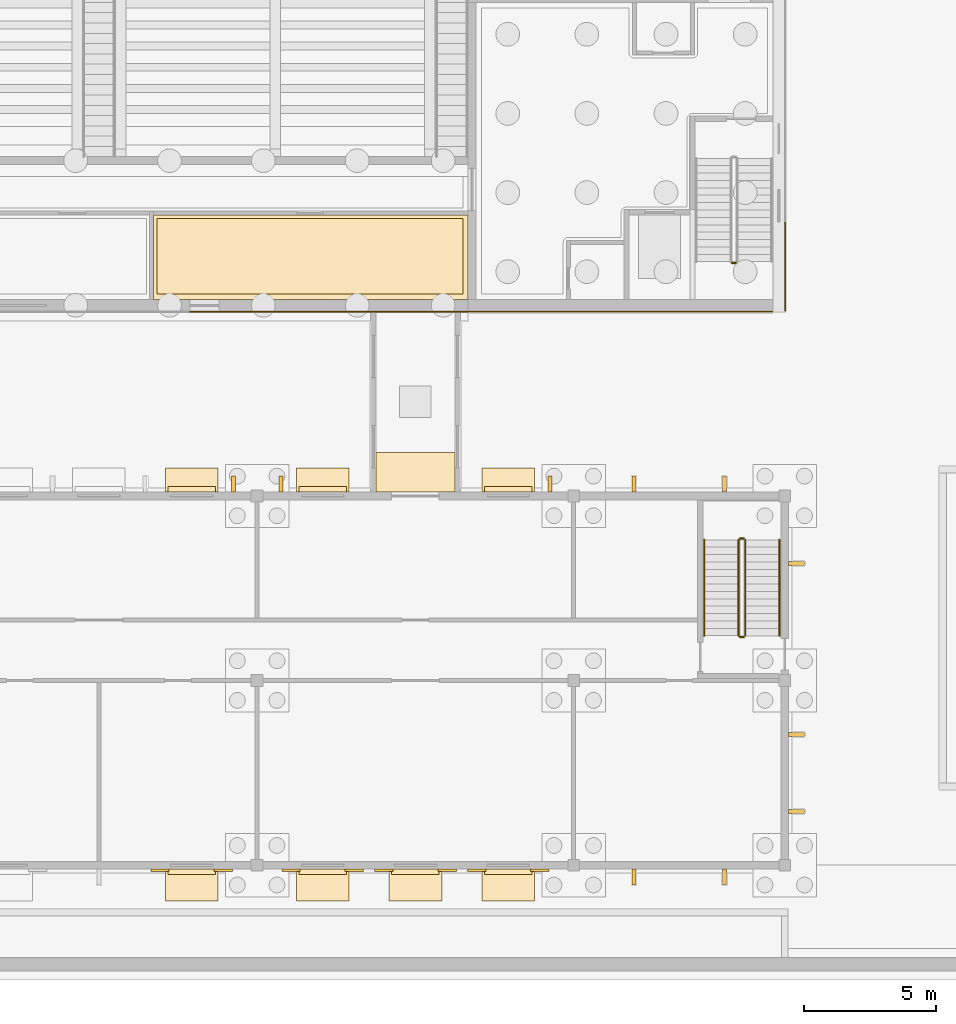
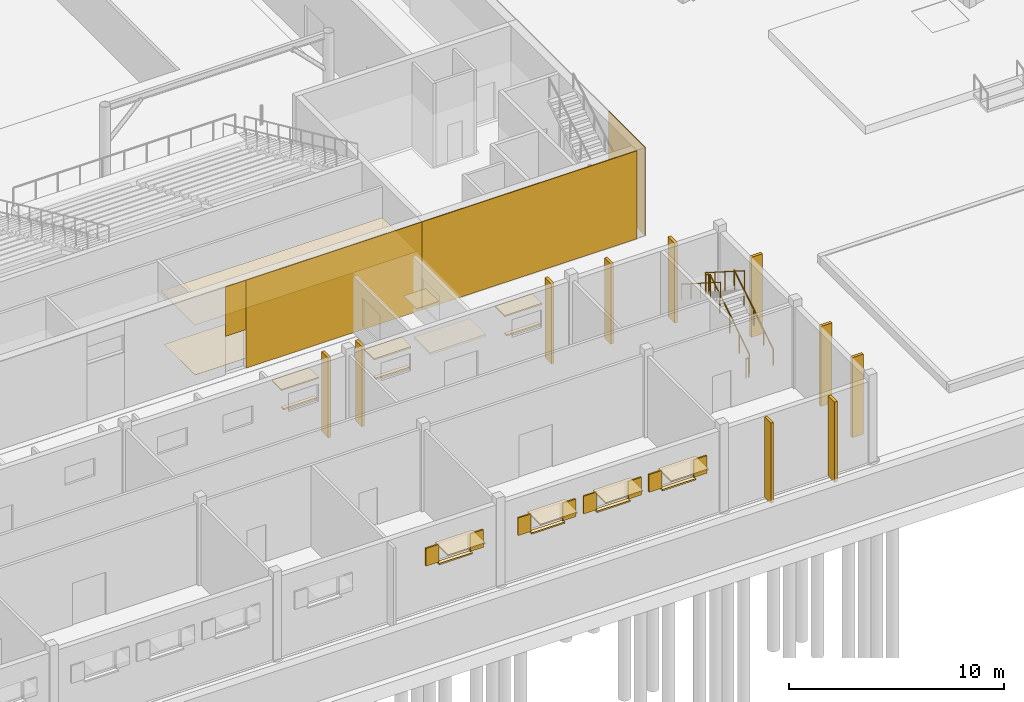
# One storey, part 141 of 157: 21 coverings, 18 shading devices, 7 railings.
"""IFC4 building model written with IfcOpenShell, lengths in metres."""

from ifc_helpers import new_model, si_unit, direction, frame, origin, origin_2d, place, context, subcontext, project, spatial, polyline, circle, outline, extrude, material, layer, layer_set, type_object, element, save


model = new_model("IFC4")

# Units and contexts
model_context = context("Model", 3, precision=1e-05, world=origin(), true_north=direction((0.0, 1.0)))
body_context = subcontext(model_context, "Body", "Model", "MODEL_VIEW")
ifc_project = project(units=[si_unit("LENGTHUNIT", "METRE"), si_unit("AREAUNIT", "SQUARE_METRE"), si_unit("VOLUMEUNIT", "CUBIC_METRE"), si_unit("PLANEANGLEUNIT", "RADIAN"), si_unit("MASSUNIT", "GRAM", prefix="KILO")], contexts=[model_context])

# Site, building, storey
site_placement = place(None, origin())
site = spatial("IfcSite", under=ifc_project, at=site_placement, CompositionType="ELEMENT")
building_placement = place(site_placement, origin())
building = spatial("IfcBuilding", under=site, at=building_placement, Name="Windward Yard Aquatics Centre", CompositionType="ELEMENT")
storey_placement = place(building_placement, origin())
storey = spatial("IfcBuildingStorey", under=building, at=storey_placement, Name="L00", CompositionType="ELEMENT", Elevation=0.0)

# Railings
ifc_material_1 = material(Name="Stainless steel 1.4401", Category="steel")
railing_type_1 = type_object("IfcRailingType", Name="C Village stair 2 stair guard", PredefinedType="GUARDRAIL", material=ifc_material_1)
railing_1_placement = place(storey_placement, frame((150.5, 13.699951171875, 0.178466796875)))
element("IfcRailing", 1, at=railing_1_placement, inside=storey, type_object=railing_type_1, Name="L00 C-ST2 stair guard 1", PredefinedType="GUARDRAIL", context=body_context, shape_type="SweptSolid", body=[
    extrude(circle(Radius=0.02392578125, at=origin_2d()), frame((0.0, 0.0, 1.076171875), z_axis=(0.0, 0.843127859045, 0.537713132908), x_axis=(-1.0, 0.0, 0.0)), (0.0, 0.0, 1.0), 4.3173828125),
    extrude(circle(Radius=0.02099609375, at=origin_2d()), origin(), (0.0, 0.0, 1.0), 1.052001953125),
    extrude(circle(Radius=0.02099609375, at=origin_2d()), frame((0.0, 0.91015625, 0.580322265625)), (0.0, 0.0, 1.0), 1.052001953125),
    extrude(circle(Radius=0.02099609375, at=origin_2d()), frame((0.0, 1.820068359375, 1.16064453125)), (0.0, 0.0, 1.0), 1.052001953125),
    extrude(circle(Radius=0.02099609375, at=origin_2d()), frame((0.0, 2.72998046875, 1.7412109375)), (0.0, 0.0, 1.0), 1.052001953125),
    extrude(circle(Radius=0.02099609375, at=origin_2d()), frame((0.0, 3.64013671875, 2.321533203125)), (0.0, 0.0, 1.0), 1.052001953125),
])
railing_2_placement = place(storey_placement, frame((150.449951171875, 17.389892578125, 2.5)))
element("IfcRailing", 2, at=railing_2_placement, inside=storey, type_object=railing_type_1, Name="L00 C-ST2 stair guard 2", PredefinedType="GUARDRAIL", context=body_context, shape_type="SweptSolid", body=[
    extrude(circle(Radius=0.02392578125, at=origin_2d()), frame((0.0, 0.0, 1.076171875), z_axis=(-1.0, 0.0, 0.0), x_axis=(0.0, -1.0, 0.0)), (0.0, 0.0, 1.0), 0.14990234375),
    extrude(circle(Radius=0.02099609375, at=origin_2d()), origin(), (0.0, 0.0, 1.0), 1.052001953125),
    extrude(circle(Radius=0.02099609375, at=origin_2d()), frame((-0.14990234375, 0.0, 0.0)), (0.0, 0.0, 1.0), 1.052001953125),
])
railing_3_placement = place(storey_placement, frame((150.25, 17.340087890625, 2.678466796875)))
element("IfcRailing", 3, at=railing_3_placement, inside=storey, type_object=railing_type_1, Name="L00 C-ST2 stair guard 3", PredefinedType="GUARDRAIL", context=body_context, shape_type="SweptSolid", body=[
    extrude(circle(Radius=0.02392578125, at=origin_2d()), frame((0.0, 0.0, 1.076171875), z_axis=(0.0, -0.843127859045, 0.537713132908), x_axis=(1.0, 0.0, 0.0)), (0.0, 0.0, 1.0), 4.3173828125),
    extrude(circle(Radius=0.02099609375, at=origin_2d()), origin(), (0.0, 0.0, 1.0), 1.052001953125),
    extrude(circle(Radius=0.02099609375, at=origin_2d()), frame((0.0, -0.91015625, 0.580322265625)), (0.0, 0.0, 1.0), 1.052001953125),
    extrude(circle(Radius=0.02099609375, at=origin_2d()), frame((0.0, -1.820068359375, 1.16064453125)), (0.0, 0.0, 1.0), 1.052001953125),
    extrude(circle(Radius=0.02099609375, at=origin_2d()), frame((0.0, -2.72998046875, 1.7412109375)), (0.0, 0.0, 1.0), 1.052001953125),
    extrude(circle(Radius=0.02099609375, at=origin_2d()), frame((0.0, -3.64013671875, 2.321533203125)), (0.0, 0.0, 1.0), 1.052001953125),
])
railing_4_placement = place(storey_placement, frame((150.449951171875, 13.64990234375, 0.0)))
element("IfcRailing", 4, at=railing_4_placement, inside=storey, type_object=railing_type_1, Name="L00 C-ST2 stair guard 4", PredefinedType="GUARDRAIL", context=body_context, shape_type="SweptSolid", body=[
    extrude(circle(Radius=0.02392578125, at=origin_2d()), frame((0.0, 0.0, 1.076171875), z_axis=(-1.0, 0.0, 0.0), x_axis=(0.0, -1.0, 0.0)), (0.0, 0.0, 1.0), 0.14990234375),
    extrude(circle(Radius=0.02099609375, at=origin_2d()), origin(), (0.0, 0.0, 1.0), 1.052001953125),
    extrude(circle(Radius=0.02099609375, at=origin_2d()), frame((-0.14990234375, 0.0, 0.0)), (0.0, 0.0, 1.0), 1.052001953125),
])
railing_type_2 = type_object("IfcRailingType", Name="C Village stair 2 stair handrail", PredefinedType="HANDRAIL", material=ifc_material_1)
railing_5_placement = place(storey_placement, frame((151.800048828125, 13.699951171875, 0.178466796875)))
element("IfcRailing", 5, at=railing_5_placement, inside=storey, type_object=railing_type_2, Name="L00 C-ST2 stair handrail 1", PredefinedType="HANDRAIL", context=body_context, shape_type="SweptSolid", body=[
    extrude(circle(Radius=0.02392578125, at=origin_2d()), frame((0.0, 0.0, 0.8759765625), z_axis=(0.0, 0.843127859045, 0.537713132908), x_axis=(-1.0, 0.0, 0.0)), (0.0, 0.0, 1.0), 4.3173828125),
    extrude(circle(Radius=0.02099609375, at=origin_2d()), origin(), (0.0, 0.0, 1.0), 0.851806640625),
    extrude(circle(Radius=0.02099609375, at=origin_2d()), frame((0.0, 0.91015625, 0.580322265625)), (0.0, 0.0, 1.0), 0.851806640625),
    extrude(circle(Radius=0.02099609375, at=origin_2d()), frame((0.0, 1.820068359375, 1.16064453125)), (0.0, 0.0, 1.0), 0.851806640625),
    extrude(circle(Radius=0.02099609375, at=origin_2d()), frame((0.0, 2.72998046875, 1.7412109375)), (0.0, 0.0, 1.0), 0.851806640625),
    extrude(circle(Radius=0.02099609375, at=origin_2d()), frame((0.0, 3.64013671875, 2.321533203125)), (0.0, 0.0, 1.0), 0.851806640625),
])
railing_6_placement = place(storey_placement, frame((148.949951171875, 17.340087890625, 2.678466796875)))
element("IfcRailing", 6, at=railing_6_placement, inside=storey, type_object=railing_type_2, Name="L00 C-ST2 stair handrail 2", PredefinedType="HANDRAIL", context=body_context, shape_type="SweptSolid", body=[
    extrude(circle(Radius=0.02392578125, at=origin_2d()), frame((0.0, 0.0, 0.8759765625), z_axis=(0.0, -0.843127859045, 0.537713132908), x_axis=(1.0, 0.0, 0.0)), (0.0, 0.0, 1.0), 4.3173828125),
    extrude(circle(Radius=0.02099609375, at=origin_2d()), origin(), (0.0, 0.0, 1.0), 0.851806640625),
    extrude(circle(Radius=0.02099609375, at=origin_2d()), frame((0.0, -0.91015625, 0.580322265625)), (0.0, 0.0, 1.0), 0.851806640625),
    extrude(circle(Radius=0.02099609375, at=origin_2d()), frame((0.0, -1.820068359375, 1.16064453125)), (0.0, 0.0, 1.0), 0.851806640625),
    extrude(circle(Radius=0.02099609375, at=origin_2d()), frame((0.0, -2.72998046875, 1.7412109375)), (0.0, 0.0, 1.0), 0.851806640625),
    extrude(circle(Radius=0.02099609375, at=origin_2d()), frame((0.0, -3.64013671875, 2.321533203125)), (0.0, 0.0, 1.0), 0.851806640625),
])

# Covering
ifc_material_2 = material(Name="Aluminium standing seam canopy on steel brackets", Category="steel")
ifc_layer_1 = layer(ifc_material_2, 0.1201171875)
ifc_layer_set_1 = layer_set([ifc_layer_1], Name="C entrance canopy aluminium 3000x1500")
covering_type_1 = type_object("IfcCoveringType", Name="C entrance canopy aluminium 3000x1500", PredefinedType="CLADDING", material=ifc_layer_set_1)
covering_1_placement = place(storey_placement, frame((0.0, 0.0, 2.800048828125)))
element("IfcCovering", 7, at=covering_1_placement, inside=storey, type_object=covering_type_1, Name="Entrance canopy C0005", PredefinedType="CLADDING", context=body_context, shape_type="SweptSolid", body=[
    extrude(outline(polyline([(136.5, 19.14990234375), (139.5, 19.14990234375), (139.5, 20.64990234375), (136.5, 20.64990234375), (136.5, 19.14990234375)])), origin(), (0.0, 0.0, 1.0), 0.119873046875),
])

# Shading devices
ifc_material_3 = material(Name="Aluminium louvre blades, powder coated", Category="aluminium")
ifc_layer_2 = layer(ifc_material_3, 0.080078125)
ifc_layer_set_2 = layer_set([ifc_layer_2], Name="C storm shutter louvred 700x1000")
shading_device_type_1 = type_object("IfcShadingDeviceType", Name="C storm shutter louvred 700x1000", PredefinedType="SHUTTER", material=ifc_layer_set_2)
shading_device_1_placement = place(storey_placement, frame((0.0, 0.0, 2.5)))
element("IfcShadingDevice", 8, at=shading_device_1_placement, inside=storey, type_object=shading_device_type_1, Name="Storm shutter CW0017L", PredefinedType="SHUTTER", context=body_context, shape_type="SweptSolid", body=[
    extrude(outline(polyline([(127.966796875, 4.77001953125), (127.966796875, 4.85009765625), (128.666748046875, 4.85009765625), (128.666748046875, 4.77001953125), (127.966796875, 4.77001953125)])), origin(), (0.0, 0.0, 1.0), 1.0),
])
shading_device_2_placement = place(storey_placement, frame((0.0, 0.0, 2.5)))
element("IfcShadingDevice", 9, at=shading_device_2_placement, inside=storey, type_object=shading_device_type_1, Name="Storm shutter CW0017R", PredefinedType="SHUTTER", context=body_context, shape_type="SweptSolid", body=[
    extrude(outline(polyline([(130.36669921875, 4.77001953125), (130.36669921875, 4.85009765625), (131.066650390625, 4.85009765625), (131.066650390625, 4.77001953125), (130.36669921875, 4.77001953125)])), origin(), (0.0, 0.0, 1.0), 1.0),
])
shading_device_3_placement = place(storey_placement, frame((0.0, 0.0, 2.5)))
element("IfcShadingDevice", 10, at=shading_device_3_placement, inside=storey, type_object=shading_device_type_1, Name="Storm shutter CW0018L", PredefinedType="SHUTTER", context=body_context, shape_type="SweptSolid", body=[
    extrude(outline(polyline([(132.933349609375, 4.77001953125), (132.933349609375, 4.85009765625), (133.63330078125, 4.85009765625), (133.63330078125, 4.77001953125), (132.933349609375, 4.77001953125)])), origin(), (0.0, 0.0, 1.0), 1.0),
])
shading_device_4_placement = place(storey_placement, frame((0.0, 0.0, 2.5)))
element("IfcShadingDevice", 11, at=shading_device_4_placement, inside=storey, type_object=shading_device_type_1, Name="Storm shutter CW0018R", PredefinedType="SHUTTER", context=body_context, shape_type="SweptSolid", body=[
    extrude(outline(polyline([(135.333251953125, 4.77001953125), (135.333251953125, 4.85009765625), (136.033203125, 4.85009765625), (136.033203125, 4.77001953125), (135.333251953125, 4.77001953125)])), origin(), (0.0, 0.0, 1.0), 1.0),
])
shading_device_5_placement = place(storey_placement, frame((0.0, 0.0, 2.5)))
element("IfcShadingDevice", 12, at=shading_device_5_placement, inside=storey, type_object=shading_device_type_1, Name="Storm shutter CW0019L", PredefinedType="SHUTTER", context=body_context, shape_type="SweptSolid", body=[
    extrude(outline(polyline([(136.449951171875, 4.77001953125), (136.449951171875, 4.85009765625), (137.14990234375, 4.85009765625), (137.14990234375, 4.77001953125), (136.449951171875, 4.77001953125)])), origin(), (0.0, 0.0, 1.0), 1.0),
])
shading_device_6_placement = place(storey_placement, frame((0.0, 0.0, 2.5)))
element("IfcShadingDevice", 13, at=shading_device_6_placement, inside=storey, type_object=shading_device_type_1, Name="Storm shutter CW0019R", PredefinedType="SHUTTER", context=body_context, shape_type="SweptSolid", body=[
    extrude(outline(polyline([(138.85009765625, 4.77001953125), (138.85009765625, 4.85009765625), (139.550048828125, 4.85009765625), (139.550048828125, 4.77001953125), (138.85009765625, 4.77001953125)])), origin(), (0.0, 0.0, 1.0), 1.0),
])
shading_device_7_placement = place(storey_placement, frame((0.0, 0.0, 2.5)))
element("IfcShadingDevice", 14, at=shading_device_7_placement, inside=storey, type_object=shading_device_type_1, Name="Storm shutter CW0020L", PredefinedType="SHUTTER", context=body_context, shape_type="SweptSolid", body=[
    extrude(outline(polyline([(139.966796875, 4.77001953125), (139.966796875, 4.85009765625), (140.666748046875, 4.85009765625), (140.666748046875, 4.77001953125), (139.966796875, 4.77001953125)])), origin(), (0.0, 0.0, 1.0), 1.0),
])
shading_device_8_placement = place(storey_placement, frame((0.0, 0.0, 2.5)))
element("IfcShadingDevice", 15, at=shading_device_8_placement, inside=storey, type_object=shading_device_type_1, Name="Storm shutter CW0020R", PredefinedType="SHUTTER", context=body_context, shape_type="SweptSolid", body=[
    extrude(outline(polyline([(142.36669921875, 4.77001953125), (142.36669921875, 4.85009765625), (143.066650390625, 4.85009765625), (143.066650390625, 4.77001953125), (142.36669921875, 4.77001953125)])), origin(), (0.0, 0.0, 1.0), 1.0),
])
ifc_material_4 = material(Name="Aluminium fin, powder coated", Category="aluminium")
shading_device_type_2 = type_object("IfcShadingDeviceType", Name="C vertical fin 150x600", PredefinedType="USERDEFINED", material=ifc_material_4)
shading_device_9_placement = place(storey_placement, origin())
element("IfcShadingDevice", 16, at=shading_device_9_placement, inside=storey, type_object=shading_device_type_2, Name="Vertical fin C.W.L00.E1.1.1", ObjectType="FIN", PredefinedType="USERDEFINED", context=body_context, shape_type="SweptSolid", body=[
    extrude(outline(polyline([(152.14990234375, 6.96240234375), (152.14990234375, 7.112548828125), (152.75, 7.112548828125), (152.75, 6.96240234375), (152.14990234375, 6.96240234375)])), origin(), (0.0, 0.0, 1.0), 4.550048828125),
])
shading_device_10_placement = place(storey_placement, origin())
element("IfcShadingDevice", 17, at=shading_device_10_placement, inside=storey, type_object=shading_device_type_2, Name="Vertical fin C.W.L00.E1.1.2", ObjectType="FIN", PredefinedType="USERDEFINED", context=body_context, shape_type="SweptSolid", body=[
    extrude(outline(polyline([(152.14990234375, 9.887451171875), (152.14990234375, 10.03759765625), (152.75, 10.03759765625), (152.75, 9.887451171875), (152.14990234375, 9.887451171875)])), origin(), (0.0, 0.0, 1.0), 4.550048828125),
])
shading_device_11_placement = place(storey_placement, origin())
element("IfcShadingDevice", 18, at=shading_device_11_placement, inside=storey, type_object=shading_device_type_2, Name="Vertical fin C.W.L00.E2.1.1", ObjectType="FIN", PredefinedType="USERDEFINED", context=body_context, shape_type="SweptSolid", body=[
    extrude(outline(polyline([(152.14990234375, 16.362548828125), (152.14990234375, 16.512451171875), (152.75, 16.512451171875), (152.75, 16.362548828125), (152.14990234375, 16.362548828125)])), origin(), (0.0, 0.0, 1.0), 4.550048828125),
])
shading_device_12_placement = place(storey_placement, origin())
element("IfcShadingDevice", 19, at=shading_device_12_placement, inside=storey, type_object=shading_device_type_2, Name="Vertical fin C.W.L00.N7.4.1", ObjectType="FIN", PredefinedType="USERDEFINED", context=body_context, shape_type="SweptSolid", body=[
    extrude(outline(polyline([(131.020751953125, 19.14990234375), (131.1708984375, 19.14990234375), (131.1708984375, 19.75), (131.020751953125, 19.75), (131.020751953125, 19.14990234375)])), origin(), (0.0, 0.0, 1.0), 4.550048828125),
])
shading_device_13_placement = place(storey_placement, origin())
element("IfcShadingDevice", 20, at=shading_device_13_placement, inside=storey, type_object=shading_device_type_2, Name="Vertical fin C.W.L00.N8.1.1", ObjectType="FIN", PredefinedType="USERDEFINED", context=body_context, shape_type="SweptSolid", body=[
    extrude(outline(polyline([(132.8291015625, 19.14990234375), (132.979248046875, 19.14990234375), (132.979248046875, 19.75), (132.8291015625, 19.75), (132.8291015625, 19.14990234375)])), origin(), (0.0, 0.0, 1.0), 4.550048828125),
])
shading_device_14_placement = place(storey_placement, origin())
element("IfcShadingDevice", 21, at=shading_device_14_placement, inside=storey, type_object=shading_device_type_2, Name="Vertical fin C.W.L00.N8.2.1", ObjectType="FIN", PredefinedType="USERDEFINED", context=body_context, shape_type="SweptSolid", body=[
    extrude(outline(polyline([(143.020751953125, 19.14990234375), (143.1708984375, 19.14990234375), (143.1708984375, 19.75), (143.020751953125, 19.75), (143.020751953125, 19.14990234375)])), origin(), (0.0, 0.0, 1.0), 4.550048828125),
])
shading_device_15_placement = place(storey_placement, origin())
element("IfcShadingDevice", 22, at=shading_device_15_placement, inside=storey, type_object=shading_device_type_2, Name="Vertical fin C.W.L00.N9.1.1", ObjectType="FIN", PredefinedType="USERDEFINED", context=body_context, shape_type="SweptSolid", body=[
    extrude(outline(polyline([(146.21240234375, 19.14990234375), (146.362548828125, 19.14990234375), (146.362548828125, 19.75), (146.21240234375, 19.75), (146.21240234375, 19.14990234375)])), origin(), (0.0, 0.0, 1.0), 4.550048828125),
])
shading_device_16_placement = place(storey_placement, origin())
element("IfcShadingDevice", 23, at=shading_device_16_placement, inside=storey, type_object=shading_device_type_2, Name="Vertical fin C.W.L00.N9.1.2", ObjectType="FIN", PredefinedType="USERDEFINED", context=body_context, shape_type="SweptSolid", body=[
    extrude(outline(polyline([(149.637451171875, 19.14990234375), (149.78759765625, 19.14990234375), (149.78759765625, 19.75), (149.637451171875, 19.75), (149.637451171875, 19.14990234375)])), origin(), (0.0, 0.0, 1.0), 4.550048828125),
])
shading_device_17_placement = place(storey_placement, origin())
element("IfcShadingDevice", 24, at=shading_device_17_placement, inside=storey, type_object=shading_device_type_2, Name="Vertical fin C.W.L00.S9.1.1", ObjectType="FIN", PredefinedType="USERDEFINED", context=body_context, shape_type="SweptSolid", body=[
    extrude(outline(polyline([(146.21240234375, 4.25), (146.21240234375, 4.85009765625), (146.362548828125, 4.85009765625), (146.362548828125, 4.25), (146.21240234375, 4.25)])), origin(), (0.0, 0.0, 1.0), 4.550048828125),
])
shading_device_18_placement = place(storey_placement, origin())
element("IfcShadingDevice", 25, at=shading_device_18_placement, inside=storey, type_object=shading_device_type_2, Name="Vertical fin C.W.L00.S9.1.2", ObjectType="FIN", PredefinedType="USERDEFINED", context=body_context, shape_type="SweptSolid", body=[
    extrude(outline(polyline([(149.637451171875, 4.25), (149.637451171875, 4.85009765625), (149.78759765625, 4.85009765625), (149.78759765625, 4.25), (149.637451171875, 4.25)])), origin(), (0.0, 0.0, 1.0), 4.550048828125),
])

# Coverings
ifc_material_5 = material(Name="Aluminium composite hood, powder coated", Category="aluminium")
ifc_layer_3 = layer(ifc_material_5, 0.080078125)
ifc_layer_set_3 = layer_set([ifc_layer_3], Name="C window hood aluminium 2000x1200")
covering_type_2 = type_object("IfcCoveringType", Name="C window hood aluminium 2000x1200", PredefinedType="CLADDING", material=ifc_layer_set_3)
covering_2_placement = place(storey_placement, frame((0.0, 0.0, 3.550048828125)))
element("IfcCovering", 26, at=covering_2_placement, inside=storey, type_object=covering_type_2, Name="Window hood CW0017", PredefinedType="CLADDING", context=body_context, shape_type="SweptSolid", body=[
    extrude(outline(polyline([(128.5166015625, 3.64990234375), (128.5166015625, 4.85009765625), (130.5166015625, 4.85009765625), (130.5166015625, 3.64990234375), (128.5166015625, 3.64990234375)])), origin(), (0.0, 0.0, 1.0), 0.079833984375),
])
covering_3_placement = place(storey_placement, frame((0.0, 0.0, 3.550048828125)))
element("IfcCovering", 27, at=covering_3_placement, inside=storey, type_object=covering_type_2, Name="Window hood CW0018", PredefinedType="CLADDING", context=body_context, shape_type="SweptSolid", body=[
    extrude(outline(polyline([(133.4833984375, 3.64990234375), (133.4833984375, 4.85009765625), (135.4833984375, 4.85009765625), (135.4833984375, 3.64990234375), (133.4833984375, 3.64990234375)])), origin(), (0.0, 0.0, 1.0), 0.079833984375),
])
covering_4_placement = place(storey_placement, frame((0.0, 0.0, 3.550048828125)))
element("IfcCovering", 28, at=covering_4_placement, inside=storey, type_object=covering_type_2, Name="Window hood CW0019", PredefinedType="CLADDING", context=body_context, shape_type="SweptSolid", body=[
    extrude(outline(polyline([(137.0, 3.64990234375), (137.0, 4.85009765625), (139.0, 4.85009765625), (139.0, 3.64990234375), (137.0, 3.64990234375)])), origin(), (0.0, 0.0, 1.0), 0.079833984375),
])
covering_5_placement = place(storey_placement, frame((0.0, 0.0, 3.550048828125)))
element("IfcCovering", 29, at=covering_5_placement, inside=storey, type_object=covering_type_2, Name="Window hood CW0020", PredefinedType="CLADDING", context=body_context, shape_type="SweptSolid", body=[
    extrude(outline(polyline([(140.5166015625, 3.64990234375), (140.5166015625, 4.85009765625), (142.5166015625, 4.85009765625), (142.5166015625, 3.64990234375), (140.5166015625, 3.64990234375)])), origin(), (0.0, 0.0, 1.0), 0.079833984375),
])
ifc_layer_4 = layer(ifc_material_5, 0.080078125)
ifc_layer_set_4 = layer_set([ifc_layer_4], Name="C window hood aluminium 2000x900")
covering_type_3 = type_object("IfcCoveringType", Name="C window hood aluminium 2000x900", PredefinedType="CLADDING", material=ifc_layer_set_4)
covering_6_placement = place(storey_placement, frame((0.0, 0.0, 3.550048828125)))
element("IfcCovering", 30, at=covering_6_placement, inside=storey, type_object=covering_type_3, Name="Window hood CW0035", PredefinedType="CLADDING", context=body_context, shape_type="SweptSolid", body=[
    extrude(outline(polyline([(128.5166015625, 19.14990234375), (130.5166015625, 19.14990234375), (130.5166015625, 20.050048828125), (128.5166015625, 20.050048828125), (128.5166015625, 19.14990234375)])), origin(), (0.0, 0.0, 1.0), 0.079833984375),
])
covering_7_placement = place(storey_placement, frame((0.0, 0.0, 3.550048828125)))
element("IfcCovering", 31, at=covering_7_placement, inside=storey, type_object=covering_type_3, Name="Window hood CW0036", PredefinedType="CLADDING", context=body_context, shape_type="SweptSolid", body=[
    extrude(outline(polyline([(133.4833984375, 19.14990234375), (135.4833984375, 19.14990234375), (135.4833984375, 20.050048828125), (133.4833984375, 20.050048828125), (133.4833984375, 19.14990234375)])), origin(), (0.0, 0.0, 1.0), 0.079833984375),
])
covering_8_placement = place(storey_placement, frame((0.0, 0.0, 3.550048828125)))
element("IfcCovering", 32, at=covering_8_placement, inside=storey, type_object=covering_type_3, Name="Window hood CW0037", PredefinedType="CLADDING", context=body_context, shape_type="SweptSolid", body=[
    extrude(outline(polyline([(140.5166015625, 19.14990234375), (142.5166015625, 19.14990234375), (142.5166015625, 20.050048828125), (140.5166015625, 20.050048828125), (140.5166015625, 19.14990234375)])), origin(), (0.0, 0.0, 1.0), 0.079833984375),
])
ifc_material_6 = material(Name="Limestone sill", Category="masonry")
ifc_layer_5 = layer(ifc_material_6, 0.080078125)
ifc_layer_set_5 = layer_set([ifc_layer_5], Name="C window sill stone 1800x200")
covering_type_4 = type_object("IfcCoveringType", Name="C window sill stone 1800x200", PredefinedType="CLADDING", material=ifc_layer_set_5)
covering_9_placement = place(storey_placement, frame((0.0, 0.0, 2.419921875)))
element("IfcCovering", 33, at=covering_9_placement, inside=storey, type_object=covering_type_4, Name="Window sill CW0035", PredefinedType="CLADDING", context=body_context, shape_type="SweptSolid", body=[
    extrude(outline(polyline([(128.61669921875, 19.14990234375), (130.416748046875, 19.14990234375), (130.416748046875, 19.35009765625), (128.61669921875, 19.35009765625), (128.61669921875, 19.14990234375)])), origin(), (0.0, 0.0, 1.0), 0.080078125),
])
covering_10_placement = place(storey_placement, frame((0.0, 0.0, 2.419921875)))
element("IfcCovering", 34, at=covering_10_placement, inside=storey, type_object=covering_type_4, Name="Window sill CW0036", PredefinedType="CLADDING", context=body_context, shape_type="SweptSolid", body=[
    extrude(outline(polyline([(133.583251953125, 19.14990234375), (135.38330078125, 19.14990234375), (135.38330078125, 19.35009765625), (133.583251953125, 19.35009765625), (133.583251953125, 19.14990234375)])), origin(), (0.0, 0.0, 1.0), 0.080078125),
])
covering_11_placement = place(storey_placement, frame((0.0, 0.0, 2.419921875)))
element("IfcCovering", 35, at=covering_11_placement, inside=storey, type_object=covering_type_4, Name="Window sill CW0037", PredefinedType="CLADDING", context=body_context, shape_type="SweptSolid", body=[
    extrude(outline(polyline([(140.61669921875, 19.14990234375), (142.416748046875, 19.14990234375), (142.416748046875, 19.35009765625), (140.61669921875, 19.35009765625), (140.61669921875, 19.14990234375)])), origin(), (0.0, 0.0, 1.0), 0.080078125),
])
covering_12_placement = place(storey_placement, frame((0.0, 0.0, 2.419921875)))
element("IfcCovering", 36, at=covering_12_placement, inside=storey, type_object=covering_type_4, Name="Window sill CW0017", PredefinedType="CLADDING", context=body_context, shape_type="SweptSolid", body=[
    extrude(outline(polyline([(128.61669921875, 4.64990234375), (128.61669921875, 4.85009765625), (130.416748046875, 4.85009765625), (130.416748046875, 4.64990234375), (128.61669921875, 4.64990234375)])), origin(), (0.0, 0.0, 1.0), 0.080078125),
])
covering_13_placement = place(storey_placement, frame((0.0, 0.0, 2.419921875)))
element("IfcCovering", 37, at=covering_13_placement, inside=storey, type_object=covering_type_4, Name="Window sill CW0018", PredefinedType="CLADDING", context=body_context, shape_type="SweptSolid", body=[
    extrude(outline(polyline([(133.583251953125, 4.64990234375), (133.583251953125, 4.85009765625), (135.38330078125, 4.85009765625), (135.38330078125, 4.64990234375), (133.583251953125, 4.64990234375)])), origin(), (0.0, 0.0, 1.0), 0.080078125),
])
covering_14_placement = place(storey_placement, frame((0.0, 0.0, 2.419921875)))
element("IfcCovering", 38, at=covering_14_placement, inside=storey, type_object=covering_type_4, Name="Window sill CW0019", PredefinedType="CLADDING", context=body_context, shape_type="SweptSolid", body=[
    extrude(outline(polyline([(137.10009765625, 4.64990234375), (137.10009765625, 4.85009765625), (138.89990234375, 4.85009765625), (138.89990234375, 4.64990234375), (137.10009765625, 4.64990234375)])), origin(), (0.0, 0.0, 1.0), 0.080078125),
])
covering_15_placement = place(storey_placement, frame((0.0, 0.0, 2.419921875)))
element("IfcCovering", 39, at=covering_15_placement, inside=storey, type_object=covering_type_4, Name="Window sill CW0020", PredefinedType="CLADDING", context=body_context, shape_type="SweptSolid", body=[
    extrude(outline(polyline([(140.61669921875, 4.64990234375), (140.61669921875, 4.85009765625), (142.416748046875, 4.85009765625), (142.416748046875, 4.64990234375), (140.61669921875, 4.64990234375)])), origin(), (0.0, 0.0, 1.0), 0.080078125),
])
ifc_material_7 = material(Name="Polished screed")
ifc_layer_6 = layer(ifc_material_7, 0.0400390625)
ifc_layer_set_6 = layer_set([ifc_layer_6], Name="H Floor Finish Screed 40")
covering_type_5 = type_object("IfcCoveringType", Name="H Floor Finish Screed 40", PredefinedType="FLOORING", material=ifc_layer_set_6)
covering_16_placement = place(storey_placement, origin())
element("IfcCovering", 40, at=covering_16_placement, inside=storey, type_object=covering_type_5, Name="Media Workroom floor finish", PredefinedType="FLOORING", context=body_context, shape_type="SweptSolid", body=[
    extrude(outline(polyline([(128.199951171875, 26.64990234375), (128.199951171875, 29.52001953125), (139.800048828125, 29.52001953125), (139.800048828125, 26.64990234375), (128.199951171875, 26.64990234375)])), origin(), (0.0, 0.0, 1.0), 0.02001953125),
])

# Railing
ifc_material_8 = material(Name="Stainless steel 1.4529", Category="steel")
railing_type_3 = type_object("IfcRailingType", Name="H Guard Steel 1100", PredefinedType="GUARDRAIL", material=ifc_material_8)
railing_7_placement = place(storey_placement, frame((150.0, 27.830078125, 2.5)))
element("IfcRailing", 41, at=railing_7_placement, inside=storey, type_object=railing_type_3, Name="L00 ST2 stair guard 2", PredefinedType="GUARDRAIL", context=body_context, shape_type="SweptSolid", body=[
    extrude(circle(Radius=0.02392578125, at=origin_2d()), frame((0.0, 0.0, 1.076171875), z_axis=(1.0, 0.0, 0.0), x_axis=(0.0, 1.0, 0.0)), (0.0, 0.0, 1.0), 0.14990234375),
    extrude(circle(Radius=0.02099609375, at=origin_2d()), origin(), (0.0, 0.0, 1.0), 1.052001953125),
    extrude(circle(Radius=0.02099609375, at=origin_2d()), frame((0.14990234375, 0.0, 0.0)), (0.0, 0.0, 1.0), 1.052001953125),
])

# Coverings
ifc_material_9 = material(Name="Mineral fibre tile")
ifc_layer_7 = layer(ifc_material_9, 0.02001953125)
ifc_layer_set_7 = layer_set([ifc_layer_7], Name="H Suspended Ceiling 600 x 600")
covering_type_6 = type_object("IfcCoveringType", Name="H Suspended Ceiling 600 x 600", PredefinedType="CEILING", material=ifc_layer_set_7)
covering_17_placement = place(storey_placement, frame((0.0, 0.0, 3.0)))
element("IfcCovering", 42, at=covering_17_placement, inside=storey, type_object=covering_type_6, Name="Media Workroom ceiling", PredefinedType="CEILING", context=body_context, shape_type="SweptSolid", body=[
    extrude(outline(polyline([(128.075439453125, 26.450439453125), (128.075439453125, 29.64453125), (139.99951171875, 29.64453125), (139.99951171875, 26.450439453125), (128.075439453125, 26.450439453125)])), origin(), (0.0, 0.0, 1.0), 0.02001953125),
])
ifc_material_10 = material(Name="Natural limestone cladding", Category="masonry")
ifc_layer_8 = layer(ifc_material_10, 0.0400390625)
ifc_layer_set_8 = layer_set([ifc_layer_8], Name="H natural stone cladding 40")
covering_type_7 = type_object("IfcCoveringType", Name="H natural stone cladding 40", PredefinedType="CLADDING", material=ifc_layer_set_8)
covering_18_placement = place(storey_placement, origin())
element("IfcCovering", 43, at=covering_18_placement, inside=storey, type_object=covering_type_7, Name="Stone cladding panel 84", PredefinedType="CLADDING", context=body_context, shape_type="SweptSolid", body=[
    extrude(outline(polyline([(152.0, 26.0), (152.0, 29.39990234375), (152.0400390625, 29.39990234375), (152.0400390625, 26.0), (152.0, 26.0)])), origin(), (0.0, 0.0, 1.0), 5.0),
])
covering_19_placement = place(storey_placement, origin())
element("IfcCovering", 44, at=covering_19_placement, inside=storey, type_object=covering_type_7, Name="Stone cladding panel 106", PredefinedType="CLADDING", context=body_context, shape_type="SweptSolid", body=[
    extrude(outline(polyline([(140.0, 25.9599609375), (151.550048828125, 25.9599609375), (151.550048828125, 26.0), (140.0, 26.0), (140.0, 25.9599609375)])), origin(), (0.0, 0.0, 1.0), 5.0),
])
covering_20_placement = place(storey_placement, frame((0.0, 0.0, 2.199951171875)))
element("IfcCovering", 45, at=covering_20_placement, inside=storey, type_object=covering_type_7, Name="Stone cladding panel 209", PredefinedType="CLADDING", context=body_context, shape_type="SweptSolid", body=[
    extrude(outline(polyline([(129.449951171875, 25.9599609375), (129.449951171875, 26.0), (130.550048828125, 26.0), (130.550048828125, 25.9599609375), (129.449951171875, 25.9599609375)])), origin(), (0.0, 0.0, 1.0), 2.800048828125),
])
covering_21_placement = place(storey_placement, origin())
element("IfcCovering", 46, at=covering_21_placement, inside=storey, type_object=covering_type_7, Name="Stone cladding panel 210", PredefinedType="CLADDING", context=body_context, shape_type="SweptSolid", body=[
    extrude(outline(polyline([(130.550048828125, 25.9599609375), (130.550048828125, 26.0), (140.0, 26.0), (140.0, 25.9599609375), (130.550048828125, 25.9599609375)])), origin(), (0.0, 0.0, 1.0), 5.0),
])

save(model, "model.ifc")
